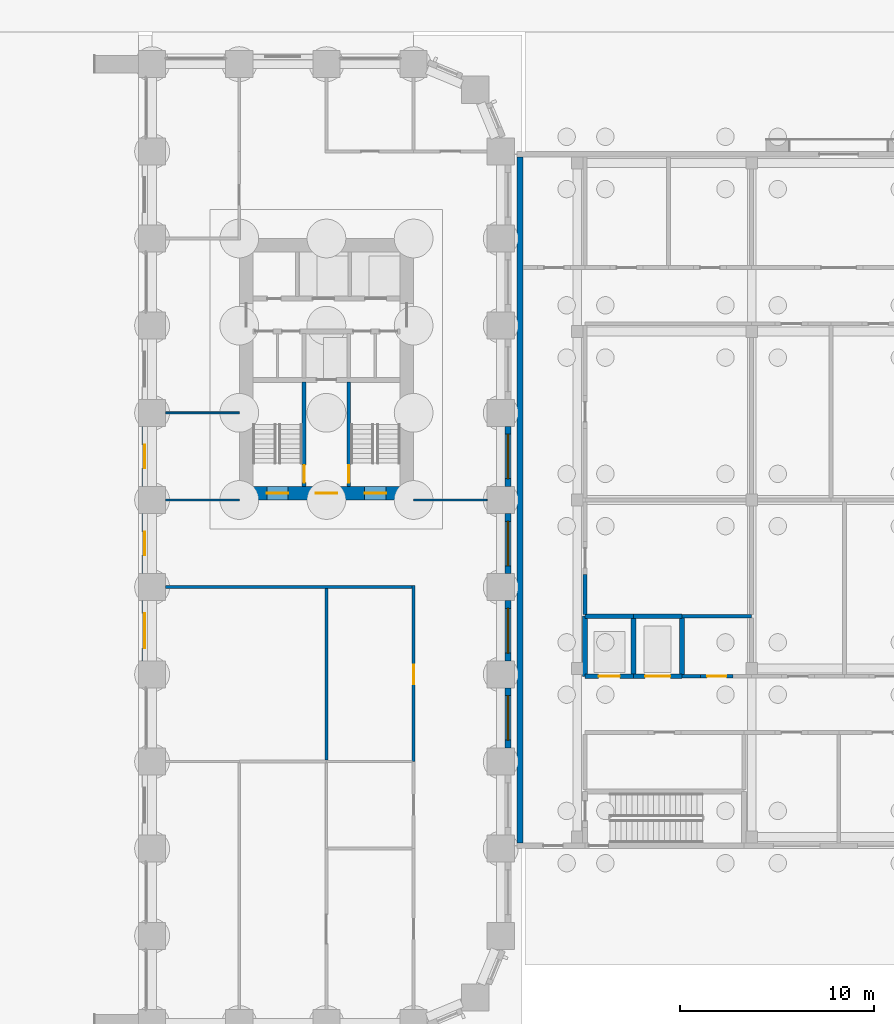
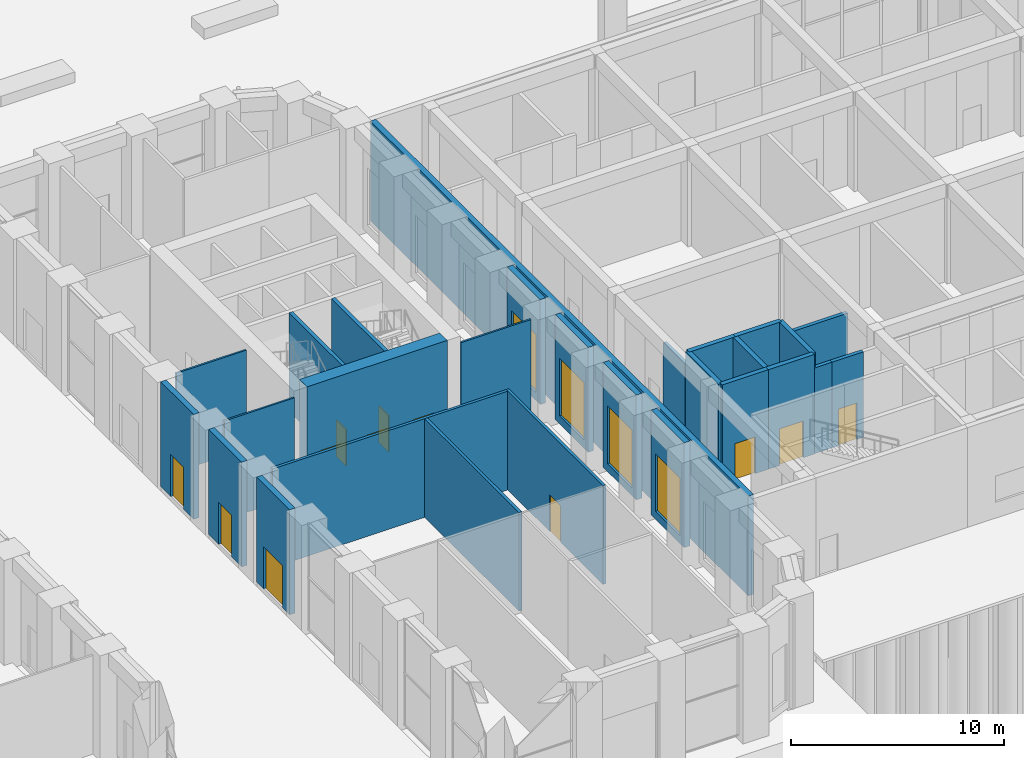
# One storey, part 16 of 31: 28 walls, 12 doors, 4 windows, 16 openings.
"""IFC4 building model written with IfcOpenShell, lengths in metres."""

from ifc_helpers import new_model, si_unit, direction, frame, frame_2d, origin, place, context, subcontext, project, spatial, rectangle, extrude, material, layer, layer_set, type_object, element, fill, save


model = new_model("IFC4")

# Units and contexts
model_context = context("Model", 3, precision=1e-05, world=origin(), true_north=direction((0.0, 1.0)))
body_context = subcontext(model_context, "Body", "Model", "MODEL_VIEW")
ifc_project = project(units=[si_unit("LENGTHUNIT", "METRE"), si_unit("AREAUNIT", "SQUARE_METRE"), si_unit("VOLUMEUNIT", "CUBIC_METRE"), si_unit("PLANEANGLEUNIT", "RADIAN"), si_unit("MASSUNIT", "GRAM", prefix="KILO")], contexts=[model_context])

# Site, building, storey
site_placement = place(None, origin())
site = spatial("IfcSite", under=ifc_project, at=site_placement, CompositionType="ELEMENT")
building_placement = place(site_placement, origin())
building = spatial("IfcBuilding", under=site, at=building_placement, Name="Girih Gate Residences", CompositionType="ELEMENT")
storey_placement = place(building_placement, origin())
storey = spatial("IfcBuildingStorey", under=building, at=storey_placement, Name="L00", CompositionType="ELEMENT", Elevation=0.0)

# Wall, opening, door
ifc_material_1 = material(Name="Gypsum board on steel studs", Category="steel")
ifc_layer_1 = layer(ifc_material_1, 0.14990234375)
ifc_layer_set_1 = layer_set([ifc_layer_1], Name="Compartment wall 150 mm")
wall_type_1 = type_object("IfcWallType", Name="Compartment wall 150 mm", PredefinedType="PARTITIONING", material=ifc_layer_set_1)
wall_1_placement = place(storey_placement, frame((45.0, 13.5, 0.0), z_axis=(0.0, 0.0, 1.0), x_axis=(0.0, 1.0, 0.0)))
wall_1 = element("IfcWall", 1, at=wall_1_placement, inside=storey, type_object=wall_type_1, Name="L00 partition", PredefinedType="PARTITIONING", context=body_context, shape_type="SweptSolid", body=[
    extrude(rectangle(XDim=9.074951171875, YDim=0.14990234375, at=frame_2d((4.53759765625, 0.0))), origin(), (0.0, 0.0, 1.0), 5.64990234375),
])
opening_1_placement = place(wall_1_placement, frame((4.0, 0.0, 0.0)))
opening_1 = element("IfcOpeningElement", 2, at=opening_1_placement, cuts=wall_1, Name="Opening D-L00-S-007", PredefinedType="OPENING", context=body_context, shape_type="SweptSolid", body=[
    extrude(rectangle(XDim=1.0, YDim=2.10009765625, at=frame_2d((0.5, 1.050048828125))), frame((0.0, 0.0849609375, 0.0), z_axis=(0.0, -1.0, 0.0), x_axis=(1.0, 0.0, 0.0)), (0.0, 0.0, 1.0), 0.169921875),
])
ifc_material_2 = material(Name="Painted steel, fire-resisting", Category="steel")
door_type_1 = type_object("IfcDoorType", Name="Plant room door 1000x2100 FD60", OperationType="SINGLE_SWING_LEFT", PredefinedType="DOOR", material=ifc_material_2)
door_1_placement = place(opening_1_placement, origin())
door_1 = element("IfcDoor", 3, at=door_1_placement, inside=storey, type_object=door_type_1, Name="Door L00-007", OperationType="SINGLE_SWING_LEFT", OverallHeight=2.10009765625, OverallWidth=1.0, PredefinedType="DOOR", context=body_context, shape_type="SweptSolid", body=[
    extrude(rectangle(XDim=1.0, YDim=2.10009765625, at=frame_2d((0.5, 1.050048828125))), frame((0.0, 0.02490234375, 0.0), z_axis=(0.0, -1.0, 0.0), x_axis=(1.0, 0.0, 0.0)), (0.0, 0.0, 1.0), 0.050048828125),
])
fill(opening_1, door_1)

# Walls
wall_2_placement = place(storey_placement, frame((40.5, 13.574951171875, 0.0), z_axis=(0.0, 0.0, 1.0), x_axis=(0.0, 1.0, 0.0)))
element("IfcWall", 4, at=wall_2_placement, inside=storey, type_object=wall_type_1, Name="L00 partition", PredefinedType="PARTITIONING", context=body_context, shape_type="SweptSolid", body=[
    extrude(rectangle(XDim=8.85009765625, YDim=0.14990234375, at=frame_2d((4.425048828125, 0.0))), origin(), (0.0, 0.0, 1.0), 5.64990234375),
])
wall_3_placement = place(storey_placement, frame((32.199951171875, 22.5, 0.0), z_axis=(0.0, 0.0, 1.0), x_axis=(1.0, 0.0, 0.0)))
element("IfcWall", 5, at=wall_3_placement, inside=storey, type_object=wall_type_1, Name="L00 partition", PredefinedType="PARTITIONING", context=body_context, shape_type="SweptSolid", body=[
    extrude(rectangle(XDim=12.72509765625, YDim=0.14990234375, at=frame_2d((6.362548828125, 0.0))), origin(), (0.0, 0.0, 1.0), 5.64990234375),
])

# Wall, openings, doors
ifc_material_3 = material(Name="Concrete C60/75", Category="concrete")
ifc_layer_2 = layer(ifc_material_3, 0.699951171875)
ifc_layer_set_2 = layer_set([ifc_layer_2], Name="Core wall RC 700 Concrete C60/75")
wall_type_2 = type_object("IfcWallType", Name="Core wall RC 700 Concrete C60/75", PredefinedType="SOLIDWALL", material=ifc_layer_set_2)
wall_4_placement = place(storey_placement, frame((36.699951171875, 27.35009765625, -0.300048828125), z_axis=(0.0, 0.0, 1.0), x_axis=(1.0, 0.0, 0.0)))
wall_4 = element("IfcWall", 6, at=wall_4_placement, inside=storey, type_object=wall_type_2, Name="Core wall E-S L00", PredefinedType="SOLIDWALL", context=body_context, shape_type="SweptSolid", body=[
    extrude(rectangle(XDim=7.60009765625, YDim=0.699951171875, at=frame_2d((3.800048828125, 0.0))), origin(), (0.0, 0.0, 1.0), 6.300048828125),
])
opening_2_placement = place(wall_4_placement, frame((5.77490234375, 0.0, 0.300048828125)))
opening_2 = element("IfcOpeningElement", 7, at=opening_2_placement, cuts=wall_4, Name="Opening D-L00-E-011", PredefinedType="OPENING", context=body_context, shape_type="SweptSolid", body=[
    extrude(rectangle(XDim=1.10009765625, YDim=2.10009765625, at=frame_2d((0.550048828125, 1.050048828125))), frame((0.0, 0.35986328125, 0.0), z_axis=(0.0, -1.0, 0.0), x_axis=(1.0, 0.0, 0.0)), (0.0, 0.0, 1.0), 0.719970703125),
])
opening_3_placement = place(wall_4_placement, frame((3.25, 0.0, 0.300048828125)))
opening_3 = element("IfcOpeningElement", 8, at=opening_3_placement, cuts=wall_4, Name="Opening D-L00-E-012", PredefinedType="OPENING", context=body_context, shape_type="SweptSolid", body=[
    extrude(rectangle(XDim=1.10009765625, YDim=2.10009765625, at=frame_2d((0.550048828125, 1.050048828125))), frame((0.0, 0.35986328125, 0.0), z_axis=(0.0, -1.0, 0.0), x_axis=(1.0, 0.0, 0.0)), (0.0, 0.0, 1.0), 0.719970703125),
])
opening_4_placement = place(wall_4_placement, frame((0.72509765625, 0.0, 0.300048828125)))
opening_4 = element("IfcOpeningElement", 9, at=opening_4_placement, cuts=wall_4, Name="Opening D-L00-E-013", PredefinedType="OPENING", context=body_context, shape_type="SweptSolid", body=[
    extrude(rectangle(XDim=1.10009765625, YDim=2.10009765625, at=frame_2d((0.550048828125, 1.050048828125))), frame((0.0, 0.35986328125, 0.0), z_axis=(0.0, -1.0, 0.0), x_axis=(1.0, 0.0, 0.0)), (0.0, 0.0, 1.0), 0.719970703125),
])
door_type_2 = type_object("IfcDoorType", Name="Fire door 1100x2100 raised threshold", OperationType="SINGLE_SWING_LEFT", PredefinedType="DOOR", material=ifc_material_2)
door_2_placement = place(opening_2_placement, origin())
door_2 = element("IfcDoor", 10, at=door_2_placement, inside=storey, type_object=door_type_2, Name="L00 E core door sta-out", OperationType="SINGLE_SWING_LEFT", OverallHeight=2.10009765625, OverallWidth=1.10009765625, PredefinedType="DOOR", context=body_context, shape_type="SweptSolid", body=[
    extrude(rectangle(XDim=1.10009765625, YDim=2.10009765625, at=frame_2d((0.550048828125, 1.050048828125))), frame((0.0, 0.02490234375, 0.0), z_axis=(0.0, -1.0, 0.0), x_axis=(1.0, 0.0, 0.0)), (0.0, 0.0, 1.0), 0.050048828125),
])
fill(opening_2, door_2)
door_3_placement = place(opening_3_placement, origin())
door_3 = element("IfcDoor", 11, at=door_3_placement, inside=storey, type_object=door_type_2, Name="L00 E core door ffl-out", OperationType="SINGLE_SWING_LEFT", OverallHeight=2.10009765625, OverallWidth=1.10009765625, PredefinedType="DOOR", context=body_context, shape_type="SweptSolid", body=[
    extrude(rectangle(XDim=1.10009765625, YDim=2.10009765625, at=frame_2d((0.550048828125, 1.050048828125))), frame((0.0, 0.02490234375, 0.0), z_axis=(0.0, -1.0, 0.0), x_axis=(1.0, 0.0, 0.0)), (0.0, 0.0, 1.0), 0.050048828125),
])
fill(opening_3, door_3)
door_4_placement = place(opening_4_placement, origin())
door_4 = element("IfcDoor", 12, at=door_4_placement, inside=storey, type_object=door_type_2, Name="L00 E core door stb-out", OperationType="SINGLE_SWING_LEFT", OverallHeight=2.10009765625, OverallWidth=1.10009765625, PredefinedType="DOOR", context=body_context, shape_type="SweptSolid", body=[
    extrude(rectangle(XDim=1.10009765625, YDim=2.10009765625, at=frame_2d((0.550048828125, 1.050048828125))), frame((0.0, 0.02490234375, 0.0), z_axis=(0.0, -1.0, 0.0), x_axis=(1.0, 0.0, 0.0)), (0.0, 0.0, 1.0), 0.050048828125),
])
fill(opening_4, door_4)

# Wall
ifc_material_4 = material(Name="Fire-rated gypsum partition")
ifc_layer_3 = layer(ifc_material_4, 0.199951171875)
ifc_layer_set_3 = layer_set([ifc_layer_3], Name="HC Corridor wall 200 EI 60")
wall_type_3 = type_object("IfcWallType", Name="HC Corridor wall 200 EI 60", PredefinedType="PARTITIONING", material=ifc_layer_set_3)
wall_5_placement = place(storey_placement, frame((58.85009765625, 17.89990234375, 0.0), z_axis=(0.0, 0.0, 1.0), x_axis=(1.0, 0.0, 0.0)))
element("IfcWall", 13, at=wall_5_placement, inside=storey, type_object=wall_type_3, Name="L00 wall x17.90/58.9", PredefinedType="PARTITIONING", context=body_context, shape_type="SweptSolid", body=[
    extrude(rectangle(XDim=0.949951171875, YDim=0.199951171875, at=frame_2d((0.47509765625, 0.0))), origin(), (0.0, 0.0, 1.0), 4.89990234375),
])

# Wall, opening, door
wall_6_placement = place(storey_placement, frame((59.800048828125, 17.89990234375, 0.0), z_axis=(0.0, 0.0, 1.0), x_axis=(1.0, 0.0, 0.0)))
wall_6 = element("IfcWall", 14, at=wall_6_placement, inside=storey, type_object=wall_type_3, Name="L00 wall x17.90/59.8", PredefinedType="PARTITIONING", context=body_context, shape_type="SweptSolid", body=[
    extrude(rectangle(XDim=1.699951171875, YDim=0.199951171875, at=frame_2d((0.85009765625, 0.0))), origin(), (0.0, 0.0, 1.0), 4.89990234375),
])
opening_5_placement = place(wall_6_placement, frame((0.35009765625, 0.0, 0.0)))
opening_5 = element("IfcOpeningElement", 15, at=opening_5_placement, cuts=wall_6, Name="Opening HC-L00-D16", PredefinedType="OPENING", context=body_context, shape_type="SweptSolid", body=[
    extrude(rectangle(XDim=1.0, YDim=2.10009765625, at=frame_2d((0.5, 1.050048828125))), frame((0.0, 0.10986328125, 0.0), z_axis=(0.0, -1.0, 0.0), x_axis=(1.0, 0.0, 0.0)), (0.0, 0.0, 1.0), 0.219970703125),
])
ifc_material_5 = material(Name="Steel door set", Category="steel")
door_type_3 = type_object("IfcDoorType", Name="HC Door 1000x2100 FD60", OperationType="NOTDEFINED", PredefinedType="DOOR", material=ifc_material_5)
door_5_placement = place(opening_5_placement, origin())
door_5 = element("IfcDoor", 16, at=door_5_placement, inside=storey, type_object=door_type_3, Name="L00 Electrical riser door", OperationType="SINGLE_SWING_RIGHT", OverallHeight=2.10009765625, OverallWidth=1.0, PredefinedType="DOOR", context=body_context, shape_type="SweptSolid", body=[
    extrude(rectangle(XDim=1.0, YDim=2.10009765625, at=frame_2d((0.5, 1.050048828125))), frame((0.0, 0.02490234375, 0.0), z_axis=(0.0, -1.0, 0.0), x_axis=(1.0, 0.0, 0.0)), (0.0, 0.0, 1.0), 0.050048828125),
])
fill(opening_5, door_5)

# Walls
wall_7_placement = place(storey_placement, frame((58.85009765625, 21.0, 0.0), z_axis=(0.0, 0.0, 1.0), x_axis=(1.0, 0.0, 0.0)))
element("IfcWall", 17, at=wall_7_placement, inside=storey, type_object=wall_type_3, Name="L00 wall x21.00/58.9", PredefinedType="PARTITIONING", context=body_context, shape_type="SweptSolid", body=[
    extrude(rectangle(XDim=3.599853515625, YDim=0.199951171875, at=frame_2d((1.7998046875, 0.0))), origin(), (0.0, 0.0, 1.0), 4.89990234375),
])
wall_8_placement = place(storey_placement, frame((53.85009765625, 21.10009765625, 0.0), z_axis=(0.0, 0.0, 1.0), x_axis=(0.0, 1.0, 0.0)))
element("IfcWall", 18, at=wall_8_placement, inside=storey, type_object=wall_type_3, Name="L00 wall y53.85/21.1", PredefinedType="PARTITIONING", context=body_context, shape_type="SweptSolid", body=[
    extrude(rectangle(XDim=2.0498046875, YDim=0.199951171875, at=frame_2d((1.02490234375, 0.0))), origin(), (0.0, 0.0, 1.0), 4.89990234375),
])
ifc_material_6 = material(Name="Precast concrete C40/50", Category="concrete")
ifc_layer_4 = layer(ifc_material_6, 0.300048828125)
ifc_layer_set_4 = layer_set([ifc_layer_4], Name="HC Facade wall 300")
wall_type_4 = type_object("IfcWallType", Name="HC Facade wall 300", PredefinedType="SOLIDWALL", material=ifc_layer_set_4)
wall_9_placement = place(storey_placement, frame((50.5, 9.300048828125, 0.0), z_axis=(0.0, 0.0, 1.0), x_axis=(0.0, 1.0, 0.0)))
element("IfcWall", 19, at=wall_9_placement, inside=storey, type_object=wall_type_4, Name="L00 west facade wall", PredefinedType="SOLIDWALL", context=body_context, shape_type="SweptSolid", body=[
    extrude(rectangle(XDim=35.39990234375, YDim=0.300048828125, at=frame_2d((17.699951171875, 0.0))), origin(), (0.0, 0.0, 1.0), 5.699951171875),
])

# Wall, opening, door
ifc_material_7 = material(Name="Concrete C40/50", Category="concrete")
ifc_layer_5 = layer(ifc_material_7, 0.25)
ifc_layer_set_5 = layer_set([ifc_layer_5], Name="HC Shaft wall 250 C40/50")
wall_type_5 = type_object("IfcWallType", Name="HC Shaft wall 250 C40/50", PredefinedType="SHEAR", material=ifc_layer_set_5)
wall_10_placement = place(storey_placement, frame((56.35009765625, 17.89990234375, 0.0), z_axis=(0.0, 0.0, 1.0), x_axis=(-1.0, 0.0, 0.0)))
wall_10 = element("IfcWall", 20, at=wall_10_placement, inside=storey, type_object=wall_type_5, Name="L00 wall x17.90/53.9", PredefinedType="SHEAR", context=body_context, shape_type="SweptSolid", body=[
    extrude(rectangle(XDim=2.5, YDim=0.25, at=frame_2d((1.25, 0.0))), origin(), (0.0, 0.0, 1.0), 5.699951171875),
])
opening_6_placement = place(wall_10_placement, frame((0.699951171875, 0.0, 0.0)))
opening_6 = element("IfcOpeningElement", 21, at=opening_6_placement, cuts=wall_10, Name="Opening HC-L00-D03", PredefinedType="OPENING", context=body_context, shape_type="SweptSolid", body=[
    extrude(rectangle(XDim=1.10009765625, YDim=2.10009765625, at=frame_2d((0.550048828125, 1.050048828125))), frame((0.0, 0.135009765625, 0.0), z_axis=(0.0, -1.0, 0.0), x_axis=(1.0, 0.0, 0.0)), (0.0, 0.0, 1.0), 0.27001953125),
])
ifc_material_8 = material(Name="Stainless steel door set", Category="steel")
door_type_4 = type_object("IfcDoorType", Name="HC Lift landing door 1100x2100", OperationType="NOTDEFINED", PredefinedType="DOOR", material=ifc_material_8)
door_6_placement = place(opening_6_placement, origin())
door_6 = element("IfcDoor", 22, at=door_6_placement, inside=storey, type_object=door_type_4, Name="L00 Lift 1 landing door", OperationType="SLIDING_TO_RIGHT", OverallHeight=2.10009765625, OverallWidth=1.10009765625, PredefinedType="DOOR", context=body_context, shape_type="SweptSolid", body=[
    extrude(rectangle(XDim=1.10009765625, YDim=2.10009765625, at=frame_2d((0.550048828125, 1.050048828125))), frame((0.0, 0.02490234375, 0.0), z_axis=(0.0, -1.0, 0.0), x_axis=(1.0, 0.0, 0.0)), (0.0, 0.0, 1.0), 0.050048828125),
])
fill(opening_6, door_6)

wall_11_placement = place(storey_placement, frame((58.85009765625, 17.89990234375, 0.0), z_axis=(0.0, 0.0, 1.0), x_axis=(-1.0, 0.0, 0.0)))
wall_11 = element("IfcWall", 23, at=wall_11_placement, inside=storey, type_object=wall_type_5, Name="L00 wall x17.90/56.4", PredefinedType="SHEAR", context=body_context, shape_type="SweptSolid", body=[
    extrude(rectangle(XDim=2.5, YDim=0.25, at=frame_2d((1.25, 0.0))), origin(), (0.0, 0.0, 1.0), 5.699951171875),
])
opening_7_placement = place(wall_11_placement, frame((0.60009765625, 0.0, 0.0)))
opening_7 = element("IfcOpeningElement", 24, at=opening_7_placement, cuts=wall_11, Name="Opening HC-L00-D04", PredefinedType="OPENING", context=body_context, shape_type="SweptSolid", body=[
    extrude(rectangle(XDim=1.300048828125, YDim=2.10009765625, at=frame_2d((0.64990234375, 1.050048828125))), frame((0.0, 0.135009765625, 0.0), z_axis=(0.0, -1.0, 0.0), x_axis=(1.0, 0.0, 0.0)), (0.0, 0.0, 1.0), 0.27001953125),
])
door_type_5 = type_object("IfcDoorType", Name="HC Bed lift landing door 1300x2100", OperationType="NOTDEFINED", PredefinedType="DOOR", material=ifc_material_8)
door_7_placement = place(opening_7_placement, origin())
door_7 = element("IfcDoor", 25, at=door_7_placement, inside=storey, type_object=door_type_5, Name="L00 Lift 2 landing door", OperationType="SLIDING_TO_LEFT", OverallHeight=2.10009765625, OverallWidth=1.300048828125, PredefinedType="DOOR", context=body_context, shape_type="SweptSolid", body=[
    extrude(rectangle(XDim=1.300048828125, YDim=2.10009765625, at=frame_2d((0.64990234375, 1.050048828125))), frame((0.0, 0.02490234375, 0.0), z_axis=(0.0, -1.0, 0.0), x_axis=(1.0, 0.0, 0.0)), (0.0, 0.0, 1.0), 0.050048828125),
])
fill(opening_7, door_7)

# Walls
for number, where, z_axis, x_axis, name in (
    (26, (53.85009765625, 21.0, 0.0), (0.0, 0.0, 1.0), (1.0, 0.0, 0.0), "L00 wall x21.00/53.9"),
    (27, (56.35009765625, 21.0, 0.0), (0.0, 0.0, 1.0), (1.0, 0.0, 0.0), "L00 wall x21.00/56.4"),
):
    element("IfcWall", number, at=place(storey_placement, frame(where, z_axis=z_axis, x_axis=x_axis)), inside=storey, type_object=wall_type_5, Name=name, PredefinedType="SHEAR", context=body_context, shape_type="SweptSolid", body=[
        extrude(rectangle(XDim=2.5, YDim=0.25, at=frame_2d((1.25, 0.0))), origin(), (0.0, 0.0, 1.0), 5.699951171875),
    ])
for number, where, z_axis, x_axis, name in (
    (28, (53.85009765625, 17.89990234375, 0.0), (0.0, 0.0, 1.0), (0.0, 1.0, 0.0), "L00 wall y53.85/17.9"),
    (29, (56.35009765625, 17.89990234375, 0.0), (0.0, 0.0, 1.0), (0.0, 1.0, 0.0), "L00 wall y56.35/17.9"),
    (30, (58.85009765625, 17.89990234375, 0.0), (0.0, 0.0, 1.0), (0.0, 1.0, 0.0), "L00 wall y58.85/17.9"),
):
    element("IfcWall", number, at=place(storey_placement, frame(where, z_axis=z_axis, x_axis=x_axis)), inside=storey, type_object=wall_type_5, Name=name, PredefinedType="SHEAR", context=body_context, shape_type="SweptSolid", body=[
        extrude(rectangle(XDim=3.10009765625, YDim=0.25, at=frame_2d((1.550048828125, 0.0))), origin(), (0.0, 0.0, 1.0), 5.699951171875),
    ])
ifc_layer_6 = layer(ifc_material_1, 0.10009765625)
ifc_layer_set_6 = layer_set([ifc_layer_6], Name="Partition 100 mm")
wall_type_6 = type_object("IfcWallType", Name="Partition 100 mm", PredefinedType="PARTITIONING", material=ifc_layer_set_6)
for number, where, z_axis, x_axis, name in (
    (31, (45.0, 27.0, 0.0), (0.0, 0.0, 1.0), (1.0, 0.0, 0.0), "L00 partition"),
    (32, (32.199951171875, 31.5, 0.0), (0.0, 0.0, 1.0), (1.0, 0.0, 0.0), "L00 partition"),
    (33, (32.199951171875, 27.0, 0.0), (0.0, 0.0, 1.0), (1.0, 0.0, 0.0), "L00 partition"),
):
    element("IfcWall", number, at=place(storey_placement, frame(where, z_axis=z_axis, x_axis=x_axis)), inside=storey, type_object=wall_type_6, Name=name, PredefinedType="PARTITIONING", context=body_context, shape_type="SweptSolid", body=[
        extrude(rectangle(XDim=3.800048828125, YDim=0.10009765625, at=frame_2d((1.89990234375, 0.0))), origin(), (0.0, 0.0, 1.0), 5.64990234375),
    ])

# Wall, opening, window
ifc_material_9 = material(Name="Precast concrete C50/60", Category="concrete")
ifc_layer_7 = layer(ifc_material_9, 0.080078125, Name="Outer leaf")
ifc_material_10 = material(Name="Rigid PIR insulation")
ifc_layer_8 = layer(ifc_material_10, 0.14990234375, Name="Insulation")
ifc_layer_9 = layer(ifc_material_6, 0.070068359375, Name="Inner leaf")
ifc_layer_set_7 = layer_set([ifc_layer_7, ifc_layer_8, ifc_layer_9], Name="Precast concrete C50/60 external wall 300")
wall_type_7 = type_object("IfcWallType", Name="Precast concrete C50/60 external wall 300", PredefinedType="SOLIDWALL", material=ifc_layer_set_7)
wall_12_placement = place(storey_placement, frame((49.875, 17.300048828125, 0.0), z_axis=(0.0, 0.0, 1.0), x_axis=(0.0, -1.0, 0.0)))
wall_12 = element("IfcWall", 34, at=wall_12_placement, inside=storey, type_object=wall_type_7, Name="External wall E0495_0045.2", PredefinedType="SOLIDWALL", context=body_context, shape_type="SweptSolid", body=[
    extrude(rectangle(XDim=3.10009765625, YDim=0.300048828125, at=frame_2d((1.550048828125, 0.0))), origin(), (0.0, 0.0, 1.0), 6.0),
])
opening_8_placement = place(wall_12_placement, frame((0.39990234375, 0.0, 0.449951171875)))
opening_8 = element("IfcOpeningElement", 35, at=opening_8_placement, cuts=wall_12, Name="Opening W-3", PredefinedType="OPENING", context=body_context, shape_type="SweptSolid", body=[
    extrude(rectangle(XDim=2.300048828125, YDim=3.300048828125, at=frame_2d((1.14990234375, 1.64990234375))), frame((0.0, 0.159912109375, 0.0), z_axis=(0.0, -1.0, 0.0), x_axis=(1.0, 0.0, 0.0)), (0.0, 0.0, 1.0), 0.320068359375),
])
ifc_material_11 = material(Name="Double glazing in aluminium frame", Category="aluminium")
window_type = type_object("IfcWindowType", Name="Window W-3 2300x3300", PartitioningType="SINGLE_PANEL", PredefinedType="WINDOW", material=ifc_material_11)
window_1_placement = place(opening_8_placement, origin())
window_1 = element("IfcWindow", 36, at=window_1_placement, inside=storey, type_object=window_type, Name="Window W-3 E0495_0045.2", OverallHeight=3.300048828125, OverallWidth=2.300048828125, PartitioningType="SINGLE_PANEL", PredefinedType="WINDOW", context=body_context, shape_type="SweptSolid", body=[
    extrude(rectangle(XDim=2.300048828125, YDim=3.300048828125, at=frame_2d((1.14990234375, 1.64990234375))), frame((0.0, 0.030029296875, 0.0), z_axis=(0.0, -1.0, 0.0), x_axis=(1.0, 0.0, 0.0)), (0.0, 0.0, 1.0), 0.06005859375),
])
fill(opening_8, window_1)

wall_13_placement = place(storey_placement, frame((49.875, 21.800048828125, 0.0), z_axis=(0.0, 0.0, 1.0), x_axis=(0.0, -1.0, 0.0)))
wall_13 = element("IfcWall", 37, at=wall_13_placement, inside=storey, type_object=wall_type_7, Name="External wall E0495_0045.3", PredefinedType="SOLIDWALL", context=body_context, shape_type="SweptSolid", body=[
    extrude(rectangle(XDim=3.10009765625, YDim=0.300048828125, at=frame_2d((1.550048828125, 0.0))), origin(), (0.0, 0.0, 1.0), 6.0),
])
opening_9_placement = place(wall_13_placement, frame((0.39990234375, 0.0, 0.449951171875)))
opening_9 = element("IfcOpeningElement", 38, at=opening_9_placement, cuts=wall_13, Name="Opening W-3", PredefinedType="OPENING", context=body_context, shape_type="SweptSolid", body=[
    extrude(rectangle(XDim=2.300048828125, YDim=3.300048828125, at=frame_2d((1.14990234375, 1.64990234375))), frame((0.0, 0.159912109375, 0.0), z_axis=(0.0, -1.0, 0.0), x_axis=(1.0, 0.0, 0.0)), (0.0, 0.0, 1.0), 0.320068359375),
])
window_2_placement = place(opening_9_placement, origin())
window_2 = element("IfcWindow", 39, at=window_2_placement, inside=storey, type_object=window_type, Name="Window W-3 E0495_0045.3", OverallHeight=3.300048828125, OverallWidth=2.300048828125, PartitioningType="SINGLE_PANEL", PredefinedType="WINDOW", context=body_context, shape_type="SweptSolid", body=[
    extrude(rectangle(XDim=2.300048828125, YDim=3.300048828125, at=frame_2d((1.14990234375, 1.64990234375))), frame((0.0, 0.030029296875, 0.0), z_axis=(0.0, -1.0, 0.0), x_axis=(1.0, 0.0, 0.0)), (0.0, 0.0, 1.0), 0.06005859375),
])
fill(opening_9, window_2)

wall_14_placement = place(storey_placement, frame((49.875, 26.300048828125, 0.0), z_axis=(0.0, 0.0, 1.0), x_axis=(0.0, -1.0, 0.0)))
wall_14 = element("IfcWall", 40, at=wall_14_placement, inside=storey, type_object=wall_type_7, Name="External wall E0495_0045.4", PredefinedType="SOLIDWALL", context=body_context, shape_type="SweptSolid", body=[
    extrude(rectangle(XDim=3.10009765625, YDim=0.300048828125, at=frame_2d((1.550048828125, 0.0))), origin(), (0.0, 0.0, 1.0), 6.0),
])
opening_10_placement = place(wall_14_placement, frame((0.39990234375, 0.0, 0.449951171875)))
opening_10 = element("IfcOpeningElement", 41, at=opening_10_placement, cuts=wall_14, Name="Opening W-3", PredefinedType="OPENING", context=body_context, shape_type="SweptSolid", body=[
    extrude(rectangle(XDim=2.300048828125, YDim=3.300048828125, at=frame_2d((1.14990234375, 1.64990234375))), frame((0.0, 0.159912109375, 0.0), z_axis=(0.0, -1.0, 0.0), x_axis=(1.0, 0.0, 0.0)), (0.0, 0.0, 1.0), 0.320068359375),
])
window_3_placement = place(opening_10_placement, origin())
window_3 = element("IfcWindow", 42, at=window_3_placement, inside=storey, type_object=window_type, Name="Window W-3 E0495_0045.4", OverallHeight=3.300048828125, OverallWidth=2.300048828125, PartitioningType="SINGLE_PANEL", PredefinedType="WINDOW", context=body_context, shape_type="SweptSolid", body=[
    extrude(rectangle(XDim=2.300048828125, YDim=3.300048828125, at=frame_2d((1.14990234375, 1.64990234375))), frame((0.0, 0.030029296875, 0.0), z_axis=(0.0, -1.0, 0.0), x_axis=(1.0, 0.0, 0.0)), (0.0, 0.0, 1.0), 0.06005859375),
])
fill(opening_10, window_3)

wall_15_placement = place(storey_placement, frame((49.875, 30.800048828125, 0.0), z_axis=(0.0, 0.0, 1.0), x_axis=(0.0, -1.0, 0.0)))
wall_15 = element("IfcWall", 43, at=wall_15_placement, inside=storey, type_object=wall_type_7, Name="External wall E0495_0045.5", PredefinedType="SOLIDWALL", context=body_context, shape_type="SweptSolid", body=[
    extrude(rectangle(XDim=3.10009765625, YDim=0.300048828125, at=frame_2d((1.550048828125, 0.0))), origin(), (0.0, 0.0, 1.0), 6.0),
])
opening_11_placement = place(wall_15_placement, frame((0.39990234375, 0.0, 0.449951171875)))
opening_11 = element("IfcOpeningElement", 44, at=opening_11_placement, cuts=wall_15, Name="Opening W-3", PredefinedType="OPENING", context=body_context, shape_type="SweptSolid", body=[
    extrude(rectangle(XDim=2.300048828125, YDim=3.300048828125, at=frame_2d((1.14990234375, 1.64990234375))), frame((0.0, 0.159912109375, 0.0), z_axis=(0.0, -1.0, 0.0), x_axis=(1.0, 0.0, 0.0)), (0.0, 0.0, 1.0), 0.320068359375),
])
window_4_placement = place(opening_11_placement, origin())
window_4 = element("IfcWindow", 45, at=window_4_placement, inside=storey, type_object=window_type, Name="Window W-3 E0495_0045.5", OverallHeight=3.300048828125, OverallWidth=2.300048828125, PartitioningType="SINGLE_PANEL", PredefinedType="WINDOW", context=body_context, shape_type="SweptSolid", body=[
    extrude(rectangle(XDim=2.300048828125, YDim=3.300048828125, at=frame_2d((1.14990234375, 1.64990234375))), frame((0.0, 0.030029296875, 0.0), z_axis=(0.0, -1.0, 0.0), x_axis=(1.0, 0.0, 0.0)), (0.0, 0.0, 1.0), 0.06005859375),
])
fill(opening_11, window_4)

# Wall, opening, door
wall_16_placement = place(storey_placement, frame((31.125, 27.699951171875, 0.0), z_axis=(0.0, 0.0, 1.0), x_axis=(0.0, 1.0, 0.0)))
wall_16 = element("IfcWall", 46, at=wall_16_placement, inside=storey, type_object=wall_type_7, Name="External wall W0315_0495.4", PredefinedType="SOLIDWALL", context=body_context, shape_type="SweptSolid", body=[
    extrude(rectangle(XDim=3.10009765625, YDim=0.300048828125, at=frame_2d((1.550048828125, 0.0))), origin(), (0.0, 0.0, 1.0), 6.0),
])
opening_12_placement = place(wall_16_placement, frame((0.949951171875, 0.0, 0.0)))
opening_12 = element("IfcOpeningElement", 47, at=opening_12_placement, cuts=wall_16, Name="Opening XD-1", PredefinedType="OPENING", context=body_context, shape_type="SweptSolid", body=[
    extrude(rectangle(XDim=1.199951171875, YDim=2.39990234375, at=frame_2d((0.60009765625, 1.199951171875))), frame((0.0, 0.159912109375, 0.0), z_axis=(0.0, -1.0, 0.0), x_axis=(1.0, 0.0, 0.0)), (0.0, 0.0, 1.0), 0.320068359375),
])
ifc_material_12 = material(Name="Steel fire door", Category="steel")
door_type_6 = type_object("IfcDoorType", Name="Stair exit door 1200x2400", OperationType="NOTDEFINED", PredefinedType="DOOR", material=ifc_material_12)
door_8_placement = place(opening_12_placement, origin())
door_8 = element("IfcDoor", 48, at=door_8_placement, inside=storey, type_object=door_type_6, Name="Stair exit door W0315_0495.4", OperationType="SINGLE_SWING_RIGHT", OverallHeight=2.39990234375, OverallWidth=1.199951171875, PredefinedType="DOOR", context=body_context, shape_type="SweptSolid", body=[
    extrude(rectangle(XDim=1.199951171875, YDim=2.39990234375, at=frame_2d((0.60009765625, 1.199951171875))), frame((0.0, 0.02490234375, 0.0), z_axis=(0.0, -1.0, 0.0), x_axis=(1.0, 0.0, 0.0)), (0.0, 0.0, 1.0), 0.050048828125),
])
fill(opening_12, door_8)

wall_17_placement = place(storey_placement, frame((31.125, 23.199951171875, 0.0), z_axis=(0.0, 0.0, 1.0), x_axis=(0.0, 1.0, 0.0)))
wall_17 = element("IfcWall", 49, at=wall_17_placement, inside=storey, type_object=wall_type_7, Name="External wall W0315_0495.5", PredefinedType="SOLIDWALL", context=body_context, shape_type="SweptSolid", body=[
    extrude(rectangle(XDim=3.10009765625, YDim=0.300048828125, at=frame_2d((1.550048828125, 0.0))), origin(), (0.0, 0.0, 1.0), 6.0),
])
opening_13_placement = place(wall_17_placement, frame((0.949951171875, 0.0, 0.0)))
opening_13 = element("IfcOpeningElement", 50, at=opening_13_placement, cuts=wall_17, Name="Opening XD-1", PredefinedType="OPENING", context=body_context, shape_type="SweptSolid", body=[
    extrude(rectangle(XDim=1.199951171875, YDim=2.39990234375, at=frame_2d((0.60009765625, 1.199951171875))), frame((0.0, 0.159912109375, 0.0), z_axis=(0.0, -1.0, 0.0), x_axis=(1.0, 0.0, 0.0)), (0.0, 0.0, 1.0), 0.320068359375),
])
door_9_placement = place(opening_13_placement, origin())
door_9 = element("IfcDoor", 51, at=door_9_placement, inside=storey, type_object=door_type_6, Name="Stair exit door W0315_0495.5", OperationType="SINGLE_SWING_LEFT", OverallHeight=2.39990234375, OverallWidth=1.199951171875, PredefinedType="DOOR", context=body_context, shape_type="SweptSolid", body=[
    extrude(rectangle(XDim=1.199951171875, YDim=2.39990234375, at=frame_2d((0.60009765625, 1.199951171875))), frame((0.0, 0.02490234375, 0.0), z_axis=(0.0, -1.0, 0.0), x_axis=(1.0, 0.0, 0.0)), (0.0, 0.0, 1.0), 0.050048828125),
])
fill(opening_13, door_9)

wall_18_placement = place(storey_placement, frame((31.125, 18.699951171875, 0.0), z_axis=(0.0, 0.0, 1.0), x_axis=(0.0, 1.0, 0.0)))
wall_18 = element("IfcWall", 52, at=wall_18_placement, inside=storey, type_object=wall_type_7, Name="External wall W0315_0495.6", PredefinedType="SOLIDWALL", context=body_context, shape_type="SweptSolid", body=[
    extrude(rectangle(XDim=3.10009765625, YDim=0.300048828125, at=frame_2d((1.550048828125, 0.0))), origin(), (0.0, 0.0, 1.0), 6.0),
])
opening_14_placement = place(wall_18_placement, frame((0.64990234375, 0.0, 0.0)))
opening_14 = element("IfcOpeningElement", 53, at=opening_14_placement, cuts=wall_18, Name="Opening ED-1", PredefinedType="OPENING", context=body_context, shape_type="SweptSolid", body=[
    extrude(rectangle(XDim=1.800048828125, YDim=2.39990234375, at=frame_2d((0.89990234375, 1.199951171875))), frame((0.0, 0.159912109375, 0.0), z_axis=(0.0, -1.0, 0.0), x_axis=(1.0, 0.0, 0.0)), (0.0, 0.0, 1.0), 0.320068359375),
])
ifc_material_13 = material(Name="Aluminium and glass entrance door", Category="aluminium")
door_type_7 = type_object("IfcDoorType", Name="Entrance door pair 1800x2400", OperationType="DOUBLE_DOOR_SINGLE_SWING", PredefinedType="DOOR", material=ifc_material_13)
door_10_placement = place(opening_14_placement, origin())
door_10 = element("IfcDoor", 54, at=door_10_placement, inside=storey, type_object=door_type_7, Name="Shop entrance W0315_0495.6", OperationType="SINGLE_SWING_LEFT", OverallHeight=2.39990234375, OverallWidth=1.800048828125, PredefinedType="DOOR", context=body_context, shape_type="SweptSolid", body=[
    extrude(rectangle(XDim=1.800048828125, YDim=2.39990234375, at=frame_2d((0.89990234375, 1.199951171875))), frame((0.0, 0.02490234375, 0.0), z_axis=(0.0, -1.0, 0.0), x_axis=(1.0, 0.0, 0.0)), (0.0, 0.0, 1.0), 0.050048828125),
])
fill(opening_14, door_10)

ifc_layer_10 = layer(ifc_material_7, 0.199951171875)
ifc_layer_set_8 = layer_set([ifc_layer_10], Name="Shaft wall 200")
wall_type_8 = type_object("IfcWallType", Name="Shaft wall 200", PredefinedType="SOLIDWALL", material=ifc_layer_set_8)
wall_19_placement = place(storey_placement, frame((41.64990234375, 27.699951171875, 0.0), z_axis=(0.0, 0.0, 1.0), x_axis=(0.0, 1.0, 0.0)))
wall_19 = element("IfcWall", 55, at=wall_19_placement, inside=storey, type_object=wall_type_8, Name="L00 E core wall V1a", PredefinedType="SOLIDWALL", context=body_context, shape_type="SweptSolid", body=[
    extrude(rectangle(XDim=5.400146484375, YDim=0.199951171875, at=frame_2d((2.7001953125, 0.0))), origin(), (0.0, 0.0, 1.0), 5.64990234375),
])
opening_15_placement = place(wall_19_placement, frame((0.199951171875, 0.0, 0.0)))
opening_15 = element("IfcOpeningElement", 56, at=opening_15_placement, cuts=wall_19, Name="Opening D-L00-E-001", PredefinedType="OPENING", context=body_context, shape_type="SweptSolid", body=[
    extrude(rectangle(XDim=0.89990234375, YDim=2.10009765625, at=frame_2d((0.449951171875, 1.050048828125))), frame((0.0, 0.10986328125, 0.0), z_axis=(0.0, -1.0, 0.0), x_axis=(1.0, 0.0, 0.0)), (0.0, 0.0, 1.0), 0.219970703125),
])
door_type_8 = type_object("IfcDoorType", Name="Fire door 900x2100", OperationType="SINGLE_SWING_LEFT", PredefinedType="DOOR", material=ifc_material_2)
door_11_placement = place(opening_15_placement, origin())
door_11 = element("IfcDoor", 57, at=door_11_placement, inside=storey, type_object=door_type_8, Name="L00 E door stair 1 to firefighting lobby", OperationType="SINGLE_SWING_LEFT", OverallHeight=2.10009765625, OverallWidth=0.89990234375, PredefinedType="DOOR", context=body_context, shape_type="SweptSolid", body=[
    extrude(rectangle(XDim=0.89990234375, YDim=2.10009765625, at=frame_2d((0.449951171875, 1.050048828125))), frame((0.0, 0.02490234375, 0.0), z_axis=(0.0, -1.0, 0.0), x_axis=(1.0, 0.0, 0.0)), (0.0, 0.0, 1.0), 0.050048828125),
])
fill(opening_15, door_11)

wall_20_placement = place(storey_placement, frame((39.35009765625, 27.699951171875, 0.0), z_axis=(0.0, 0.0, 1.0), x_axis=(0.0, 1.0, 0.0)))
wall_20 = element("IfcWall", 58, at=wall_20_placement, inside=storey, type_object=wall_type_8, Name="L00 E core wall V2a", PredefinedType="SOLIDWALL", context=body_context, shape_type="SweptSolid", body=[
    extrude(rectangle(XDim=5.400146484375, YDim=0.199951171875, at=frame_2d((2.7001953125, 0.0))), origin(), (0.0, 0.0, 1.0), 5.64990234375),
])
opening_16_placement = place(wall_20_placement, frame((0.199951171875, 0.0, 0.0)))
opening_16 = element("IfcOpeningElement", 59, at=opening_16_placement, cuts=wall_20, Name="Opening D-L00-E-002", PredefinedType="OPENING", context=body_context, shape_type="SweptSolid", body=[
    extrude(rectangle(XDim=0.89990234375, YDim=2.10009765625, at=frame_2d((0.449951171875, 1.050048828125))), frame((0.0, 0.10986328125, 0.0), z_axis=(0.0, -1.0, 0.0), x_axis=(1.0, 0.0, 0.0)), (0.0, 0.0, 1.0), 0.219970703125),
])
door_12_placement = place(opening_16_placement, origin())
door_12 = element("IfcDoor", 60, at=door_12_placement, inside=storey, type_object=door_type_8, Name="L00 E door stair 2 to firefighting lobby", OperationType="SINGLE_SWING_LEFT", OverallHeight=2.10009765625, OverallWidth=0.89990234375, PredefinedType="DOOR", context=body_context, shape_type="SweptSolid", body=[
    extrude(rectangle(XDim=0.89990234375, YDim=2.10009765625, at=frame_2d((0.449951171875, 1.050048828125))), frame((0.0, 0.02490234375, 0.0), z_axis=(0.0, -1.0, 0.0), x_axis=(1.0, 0.0, 0.0)), (0.0, 0.0, 1.0), 0.050048828125),
])
fill(opening_16, door_12)

save(model, "model.ifc")
